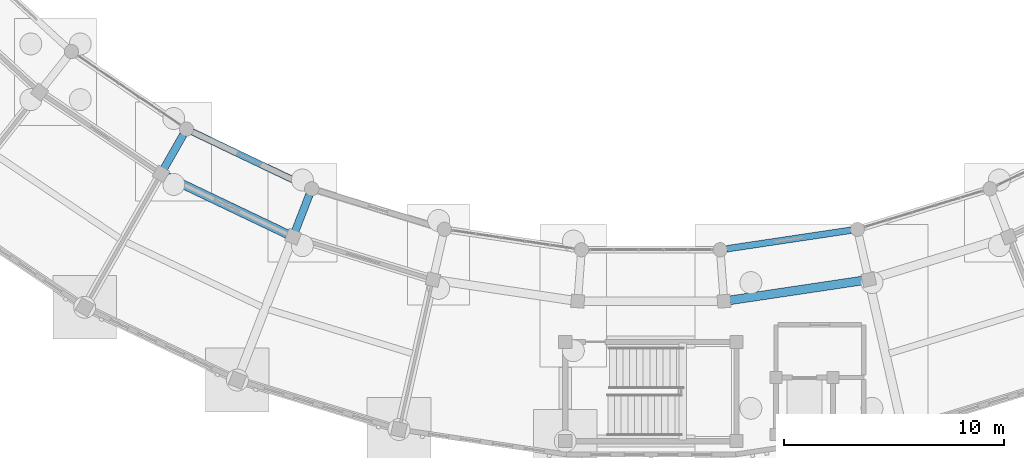
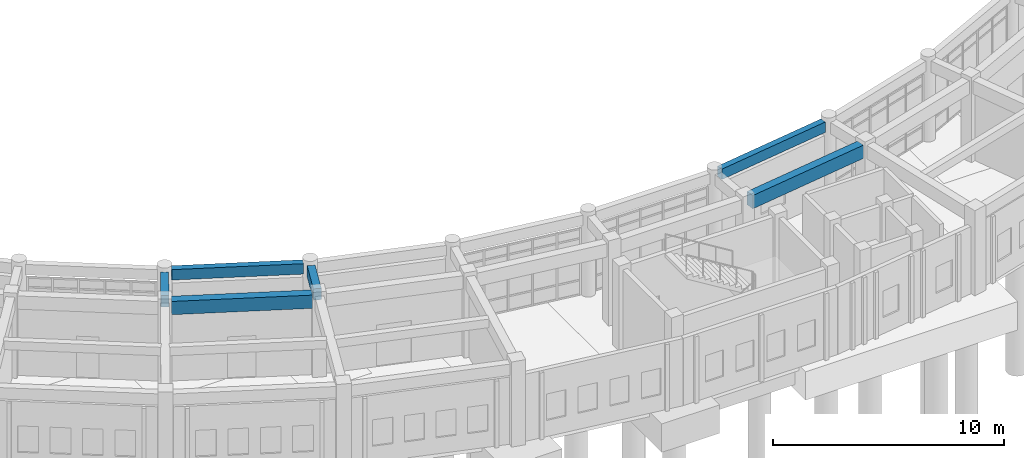
# One storey, part 40 of 153: 6 beams.
"""IFC4 building model written with IfcOpenShell, lengths in metres."""

from ifc_helpers import new_model, si_unit, direction, frame, origin, origin_2d, place, context, subcontext, project, spatial, rectangle, extrude, material, material_profile, profile_set, type_object, element, save


model = new_model("IFC4")

# Units and contexts
model_context = context("Model", 3, precision=1e-05, world=origin(), true_north=direction((0.0, 1.0)))
body_context = subcontext(model_context, "Body", "Model", "MODEL_VIEW")
ifc_project = project(units=[si_unit("LENGTHUNIT", "METRE"), si_unit("AREAUNIT", "SQUARE_METRE"), si_unit("VOLUMEUNIT", "CUBIC_METRE"), si_unit("PLANEANGLEUNIT", "RADIAN"), si_unit("MASSUNIT", "GRAM", prefix="KILO")], contexts=[model_context])

# Site, building, storey
site_placement = place(None, origin())
site = spatial("IfcSite", under=ifc_project, at=site_placement, CompositionType="ELEMENT")
building_placement = place(site_placement, origin())
building = spatial("IfcBuilding", under=site, at=building_placement, Name="Celadon Cloister-Ring School", CompositionType="ELEMENT")
storey_placement = place(building_placement, origin())
storey = spatial("IfcBuildingStorey", under=building, at=storey_placement, Name="L00", CompositionType="ELEMENT", Elevation=0.0)

# Beams
ifc_material_1 = material(Name="Concrete C35/45", Category="concrete")
ifc_material_profile_1 = material_profile(ifc_material_1, rectangle(XDim=0.35009765625, YDim=0.60009765625, at=origin_2d()), Name="RC350X600")
ifc_profile_set_1 = profile_set([ifc_material_profile_1], Name="Concrete C35/45")
beam_type_1 = type_object("IfcBeamType", Name="BT-02", PredefinedType="BEAM", material=ifc_profile_set_1)
beam_1_placement = place(storey_placement, frame((64.81591796875, 20.1650390625, 3.97998046875), z_axis=(0.496183405226, 0.868217730975, 0.0), x_axis=(-0.868217730975, 0.496183405226, 0.0)))
element("IfcBeam", 1, at=beam_1_placement, inside=storey, type_object=beam_type_1, Name="Beam 0029", PredefinedType="BEAM", context=body_context, shape_type="SweptSolid", body=[
    extrude(rectangle(XDim=0.35009765625, YDim=0.60009765625, at=origin_2d()), origin(), (0.0, 0.0, 1.0), 1.773681640625),
])
beam_2_placement = place(storey_placement, frame((70.798095703125, 17.31298828125, 3.97998046875), z_axis=(0.361762199157, 0.932270406728, 0.0), x_axis=(-0.932270406728, 0.361762199157, 0.0)))
element("IfcBeam", 2, at=beam_2_placement, inside=storey, type_object=beam_type_1, Name="Beam 0031", PredefinedType="BEAM", context=body_context, shape_type="SweptSolid", body=[
    extrude(rectangle(XDim=0.35009765625, YDim=0.60009765625, at=origin_2d()), origin(), (0.0, 0.0, 1.0), 1.774169921875),
])
ifc_material_2 = material(Name="Concrete C35/45", Category="concrete")
ifc_material_profile_2 = material_profile(ifc_material_2, rectangle(XDim=0.39990234375, YDim=0.699951171875, at=origin_2d()), Name="RC400X700")
ifc_profile_set_2 = profile_set([ifc_material_profile_2], Name="Concrete C35/45")
beam_type_2 = type_object("IfcBeamType", Name="GT-03", PredefinedType="USERDEFINED", material=ifc_profile_set_2)
beam_3_placement = place(storey_placement, frame((64.927978515625, 19.80810546875, 3.929931640625), z_axis=(0.902635406481, -0.430405997829, 0.0), x_axis=(0.430405997829, 0.902635406481, 0.0)))
element("IfcBeam", 3, at=beam_3_placement, inside=storey, type_object=beam_type_2, Name="Beam 0124", ObjectType="GIRDER", PredefinedType="USERDEFINED", context=body_context, shape_type="SweptSolid", body=[
    extrude(rectangle(XDim=0.39990234375, YDim=0.699951171875, at=origin_2d()), origin(), (0.0, 0.0, 1.0), 6.11767578125),
])
beam_4_placement = place(storey_placement, frame((90.60498046875, 14.1650390625, 3.929931640625), z_axis=(0.989042366653, 0.14763196458, 0.0), x_axis=(-0.14763196458, 0.989042366653, 0.0)))
element("IfcBeam", 4, at=beam_4_placement, inside=storey, type_object=beam_type_2, Name="Beam 0135", ObjectType="GIRDER", PredefinedType="USERDEFINED", context=body_context, shape_type="SweptSolid", body=[
    extrude(rectangle(XDim=0.39990234375, YDim=0.699951171875, at=origin_2d()), origin(), (0.0, 0.0, 1.0), 6.1171875),
])
ifc_material_3 = material(Name="Concrete C35/45", Category="concrete")
ifc_material_profile_3 = material_profile(ifc_material_3, rectangle(XDim=0.300048828125, YDim=0.550048828125, at=origin_2d()), Name="RC300X550")
ifc_profile_set_3 = profile_set([ifc_material_profile_3], Name="Concrete C35/45")
beam_type_3 = type_object("IfcBeamType", Name="SP-02", PredefinedType="SPANDREL", material=ifc_profile_set_3)
beam_5_placement = place(storey_placement, frame((66.115966796875, 21.8369140625, 4.0048828125), z_axis=(0.902671041533, -0.430331257031, 0.0), x_axis=(0.430331257031, 0.902671041533, 0.0)))
element("IfcBeam", 5, at=beam_5_placement, inside=storey, type_object=beam_type_3, Name="Beam 0125", PredefinedType="SPANDREL", context=body_context, shape_type="SweptSolid", body=[
    extrude(rectangle(XDim=0.300048828125, YDim=0.550048828125, at=origin_2d()), origin(), (0.0, 0.0, 1.0), 5.71875),
])
beam_6_placement = place(storey_placement, frame((90.4560546875, 16.510986328125, 4.0048828125), z_axis=(0.988995465625, 0.147945831213, 0.0), x_axis=(-0.147945831213, 0.988995465625, 0.0)))
element("IfcBeam", 6, at=beam_6_placement, inside=storey, type_object=beam_type_3, Name="Beam 0136", PredefinedType="SPANDREL", context=body_context, shape_type="SweptSolid", body=[
    extrude(rectangle(XDim=0.300048828125, YDim=0.550048828125, at=origin_2d()), origin(), (0.0, 0.0, 1.0), 5.718017578125),
])

save(model, "model.ifc")
